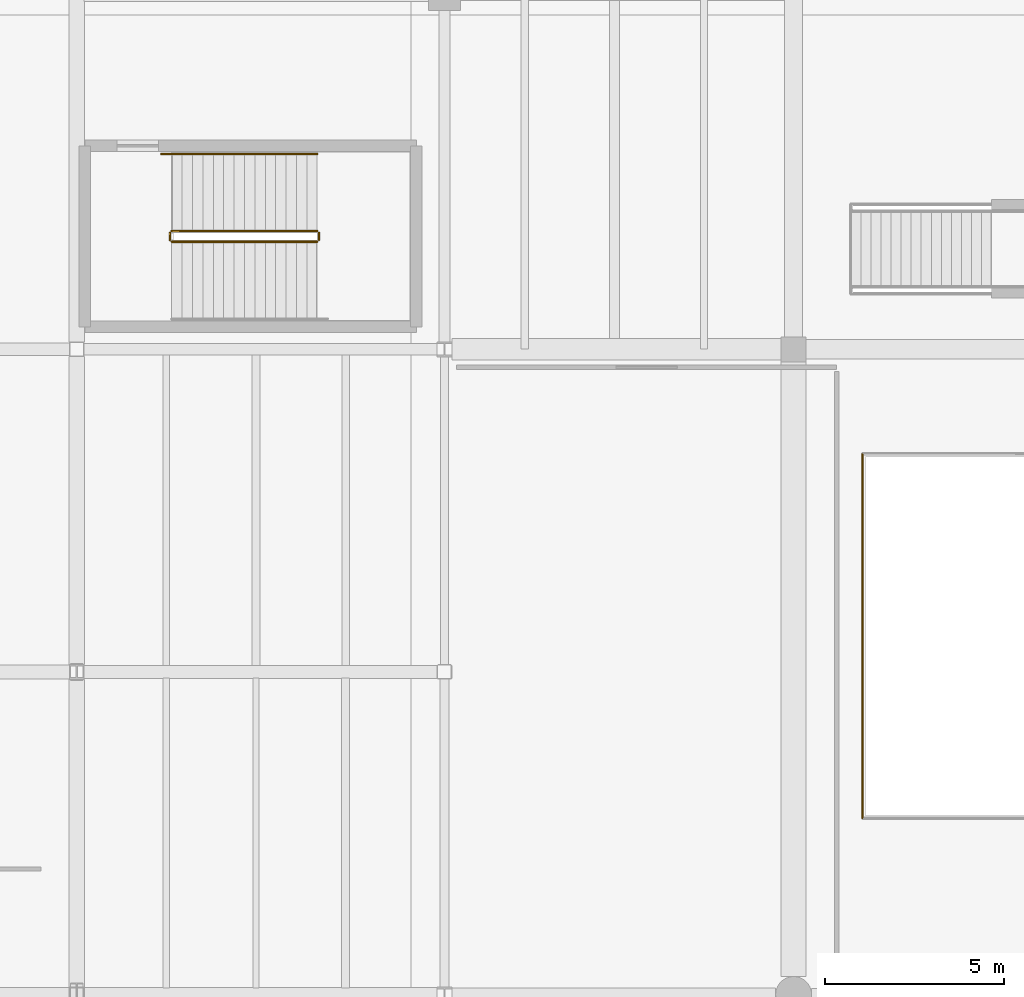
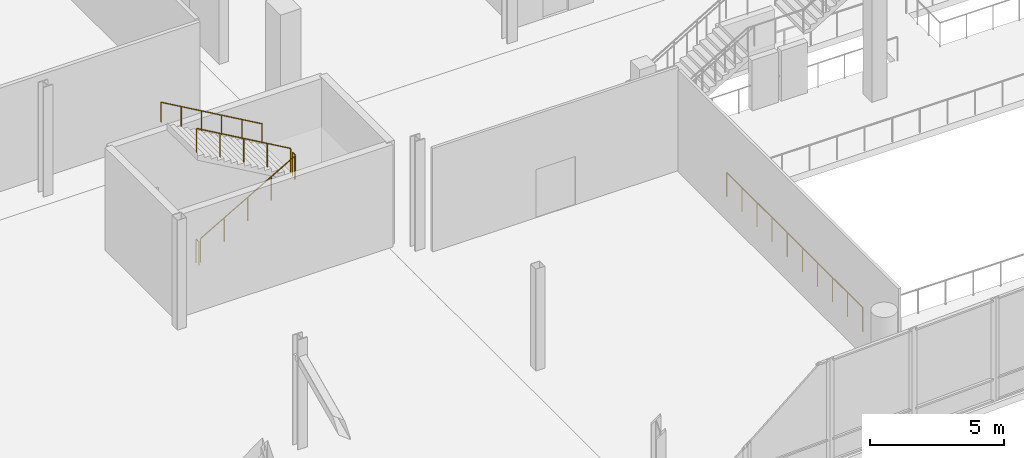
# One storey, part 64 of 73: 6 railings.
"""IFC4 building model written with IfcOpenShell, lengths in metres."""

from ifc_helpers import new_model, si_unit, direction, frame, origin, origin_2d, place, context, subcontext, project, spatial, circle, extrude, material, type_object, element, save


model = new_model("IFC4")

# Units and contexts
model_context = context("Model", 3, precision=1e-05, world=origin(), true_north=direction((0.0, 1.0)))
body_context = subcontext(model_context, "Body", "Model", "MODEL_VIEW")
ifc_project = project(units=[si_unit("LENGTHUNIT", "METRE"), si_unit("AREAUNIT", "SQUARE_METRE"), si_unit("VOLUMEUNIT", "CUBIC_METRE"), si_unit("PLANEANGLEUNIT", "RADIAN"), si_unit("MASSUNIT", "GRAM", prefix="KILO")], contexts=[model_context])

# Site, building, storey
site_placement = place(None, origin())
site = spatial("IfcSite", under=ifc_project, at=site_placement, CompositionType="ELEMENT")
building_placement = place(site_placement, origin())
building = spatial("IfcBuilding", under=site, at=building_placement, Name="Trimount Lyric Opera House", CompositionType="ELEMENT")
storey_placement = place(building_placement, frame((0.0, 0.0, 10.0)))
storey = spatial("IfcBuildingStorey", under=building, at=storey_placement, Name="L02", CompositionType="ELEMENT", Elevation=10.0)

# Railings
ifc_material_1 = material(Name="Bronze and Laminated Acoustic Glass", Category="glass")
railing_type_1 = type_object("IfcRailingType", Name="RL-BAL112", PredefinedType="BALUSTRADE", material=ifc_material_1)
railing_1_placement = place(storey_placement, frame((75.919921875, 41.080078125, 0.0)))
element("IfcRailing", 1, at=railing_1_placement, inside=storey, type_object=railing_type_1, Name="L02 atrium and balcony guard GRD-WG-L02-W", PredefinedType="BALUSTRADE", context=body_context, shape_type="SweptSolid", body=[
    extrude(circle(Radius=0.02734375, at=origin_2d()), frame((0.0, 0.0, 1.0927734375), z_axis=(0.0, -1.0, 0.0), x_axis=(1.0, 0.0, 0.0)), (0.0, 0.0, 1.0), 10.16015625),
    extrude(circle(Radius=0.02099609375, at=origin_2d()), origin(), (0.0, 0.0, 1.0), 1.065185546875),
    extrude(circle(Radius=0.02099609375, at=origin_2d()), frame((0.0, -1.12890625, 0.0)), (0.0, 0.0, 1.0), 1.065185546875),
    extrude(circle(Radius=0.02099609375, at=origin_2d()), frame((0.0, -2.2578125, 0.0)), (0.0, 0.0, 1.0), 1.065185546875),
    extrude(circle(Radius=0.02099609375, at=origin_2d()), frame((0.0, -3.38671875, 0.0)), (0.0, 0.0, 1.0), 1.065185546875),
    extrude(circle(Radius=0.02099609375, at=origin_2d()), frame((0.0, -4.515625, 0.0)), (0.0, 0.0, 1.0), 1.065185546875),
    extrude(circle(Radius=0.02099609375, at=origin_2d()), frame((0.0, -5.64453125, 0.0)), (0.0, 0.0, 1.0), 1.065185546875),
    extrude(circle(Radius=0.02099609375, at=origin_2d()), frame((0.0, -6.7734375, 0.0)), (0.0, 0.0, 1.0), 1.065185546875),
    extrude(circle(Radius=0.02099609375, at=origin_2d()), frame((0.0, -7.90234375, 0.0)), (0.0, 0.0, 1.0), 1.065185546875),
    extrude(circle(Radius=0.02099609375, at=origin_2d()), frame((0.0, -9.03125, 0.0)), (0.0, 0.0, 1.0), 1.065185546875),
    extrude(circle(Radius=0.02099609375, at=origin_2d()), frame((0.0, -10.16015625, 0.0)), (0.0, 0.0, 1.0), 1.065185546875),
])
ifc_material_2 = material(Name="Brushed Stainless Steel 316", Category="steel")
railing_type_2 = type_object("IfcRailingType", Name="RL-GRD110", PredefinedType="GUARDRAIL", material=ifc_material_2)
railing_2_placement = place(storey_placement, frame((56.64990234375, 47.0, 0.166748046875)))
element("IfcRailing", 2, at=railing_2_placement, inside=storey, type_object=railing_type_2, Name="L02 ST-07 stair guard 1", PredefinedType="GUARDRAIL", context=body_context, shape_type="SweptSolid", body=[
    extrude(circle(Radius=0.02392578125, at=origin_2d()), frame((0.0, 0.0, 1.076171875), z_axis=(0.867024558463, 0.0, 0.498265406207), x_axis=(0.0, 1.0, 0.0)), (0.0, 0.0, 1.0), 4.682861328125),
    extrude(circle(Radius=0.02099609375, at=origin_2d()), origin(), (0.0, 0.0, 1.0), 1.052001953125),
    extrude(circle(Radius=0.02099609375, at=origin_2d()), frame((1.01513671875, 0.0, 0.583251953125)), (0.0, 0.0, 1.0), 1.052001953125),
    extrude(circle(Radius=0.02099609375, at=origin_2d()), frame((2.030029296875, 0.0, 1.16650390625)), (0.0, 0.0, 1.0), 1.052001953125),
    extrude(circle(Radius=0.02099609375, at=origin_2d()), frame((3.044921875, 0.0, 1.75)), (0.0, 0.0, 1.0), 1.052001953125),
    extrude(circle(Radius=0.02099609375, at=origin_2d()), frame((4.06005859375, 0.0, 2.333251953125)), (0.0, 0.0, 1.0), 1.052001953125),
])
railing_3_placement = place(storey_placement, frame((60.760009765625, 47.050048828125, 2.5)))
element("IfcRailing", 3, at=railing_3_placement, inside=storey, type_object=railing_type_2, Name="L02 ST-07 stair guard 2", PredefinedType="GUARDRAIL", context=body_context, shape_type="SweptSolid", body=[
    extrude(circle(Radius=0.02392578125, at=origin_2d()), frame((0.0, 0.0, 1.076171875), z_axis=(0.0, 1.0, 0.0), x_axis=(-1.0, 0.0, 0.0)), (0.0, 0.0, 1.0), 0.199951171875),
    extrude(circle(Radius=0.02099609375, at=origin_2d()), origin(), (0.0, 0.0, 1.0), 1.052001953125),
    extrude(circle(Radius=0.02099609375, at=origin_2d()), frame((0.0, 0.199951171875, 0.0)), (0.0, 0.0, 1.0), 1.052001953125),
])
railing_4_placement = place(storey_placement, frame((60.7099609375, 47.300048828125, 2.666748046875)))
element("IfcRailing", 4, at=railing_4_placement, inside=storey, type_object=railing_type_2, Name="L02 ST-07 stair guard 3", PredefinedType="GUARDRAIL", context=body_context, shape_type="SweptSolid", body=[
    extrude(circle(Radius=0.02392578125, at=origin_2d()), frame((0.0, 0.0, 1.076171875), z_axis=(-0.867024558463, 0.0, 0.498265406207), x_axis=(0.0, -1.0, 0.0)), (0.0, 0.0, 1.0), 4.682861328125),
    extrude(circle(Radius=0.02099609375, at=origin_2d()), origin(), (0.0, 0.0, 1.0), 1.052001953125),
    extrude(circle(Radius=0.02099609375, at=origin_2d()), frame((-1.01513671875, 0.0, 0.583251953125)), (0.0, 0.0, 1.0), 1.052001953125),
    extrude(circle(Radius=0.02099609375, at=origin_2d()), frame((-2.030029296875, 0.0, 1.16650390625)), (0.0, 0.0, 1.0), 1.052001953125),
    extrude(circle(Radius=0.02099609375, at=origin_2d()), frame((-3.044921875, 0.0, 1.75)), (0.0, 0.0, 1.0), 1.052001953125),
    extrude(circle(Radius=0.02099609375, at=origin_2d()), frame((-4.06005859375, 0.0, 2.333251953125)), (0.0, 0.0, 1.0), 1.052001953125),
])
railing_5_placement = place(storey_placement, frame((56.60009765625, 47.050048828125, 0.0)))
element("IfcRailing", 5, at=railing_5_placement, inside=storey, type_object=railing_type_2, Name="L02 ST-07 stair guard 4", PredefinedType="GUARDRAIL", context=body_context, shape_type="SweptSolid", body=[
    extrude(circle(Radius=0.02392578125, at=origin_2d()), frame((0.0, 0.0, 1.076171875), z_axis=(0.0, 1.0, 0.0), x_axis=(-1.0, 0.0, 0.0)), (0.0, 0.0, 1.0), 0.199951171875),
    extrude(circle(Radius=0.02099609375, at=origin_2d()), origin(), (0.0, 0.0, 1.0), 1.052001953125),
    extrude(circle(Radius=0.02099609375, at=origin_2d()), frame((0.0, 0.199951171875, 0.0)), (0.0, 0.0, 1.0), 1.052001953125),
])
ifc_material_3 = material(Name="Brushed Stainless Steel 316", Category="steel")
railing_type_3 = type_object("IfcRailingType", Name="RL-HND092", PredefinedType="HANDRAIL", material=ifc_material_3)
railing_6_placement = place(storey_placement, frame((60.7099609375, 49.449951171875, 2.666748046875)))
element("IfcRailing", 6, at=railing_6_placement, inside=storey, type_object=railing_type_3, Name="L02 ST-07 stair handrail 2", PredefinedType="HANDRAIL", context=body_context, shape_type="SweptSolid", body=[
    extrude(circle(Radius=0.0224609375, at=origin_2d()), frame((0.0, 0.0, 0.8974609375), z_axis=(-0.866754379005, 0.0, 0.498735246875), x_axis=(0.0, -1.0, 0.0)), (0.0, 0.0, 1.0), 5.0185546875),
    extrude(circle(Radius=0.02099609375, at=origin_2d()), origin(), (0.0, 0.0, 1.0), 0.875),
    extrude(circle(Radius=0.02099609375, at=origin_2d()), frame((-0.869873046875, 0.0, 0.50048828125)), (0.0, 0.0, 1.0), 0.875),
    extrude(circle(Radius=0.02099609375, at=origin_2d()), frame((-1.739990234375, 0.0, 1.001220703125)), (0.0, 0.0, 1.0), 0.875),
    extrude(circle(Radius=0.02099609375, at=origin_2d()), frame((-2.60986328125, 0.0, 1.501708984375)), (0.0, 0.0, 1.0), 0.875),
    extrude(circle(Radius=0.02099609375, at=origin_2d()), frame((-3.47998046875, 0.0, 2.00244140625)), (0.0, 0.0, 1.0), 0.875),
    extrude(circle(Radius=0.02099609375, at=origin_2d()), frame((-4.349853515625, 0.0, 2.5029296875)), (0.0, 0.0, 1.0), 0.875),
])

save(model, "model.ifc")
